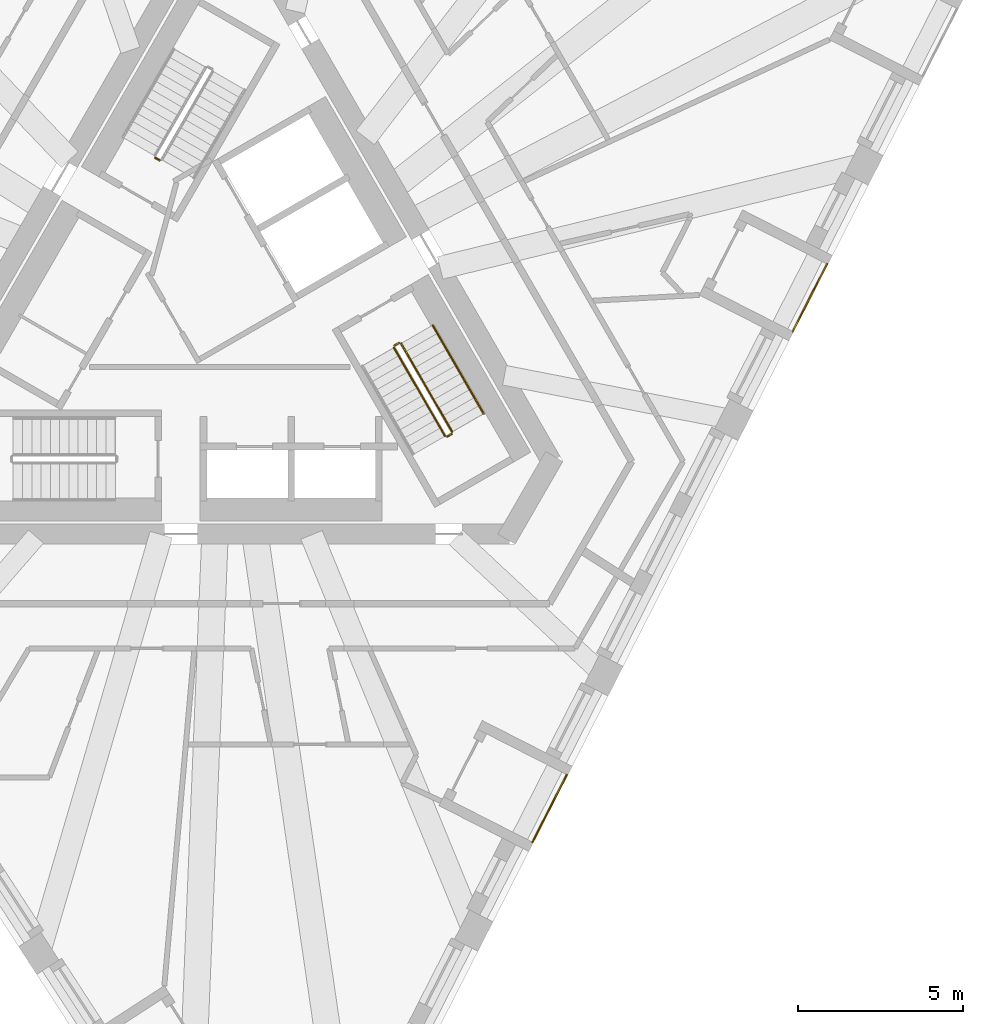
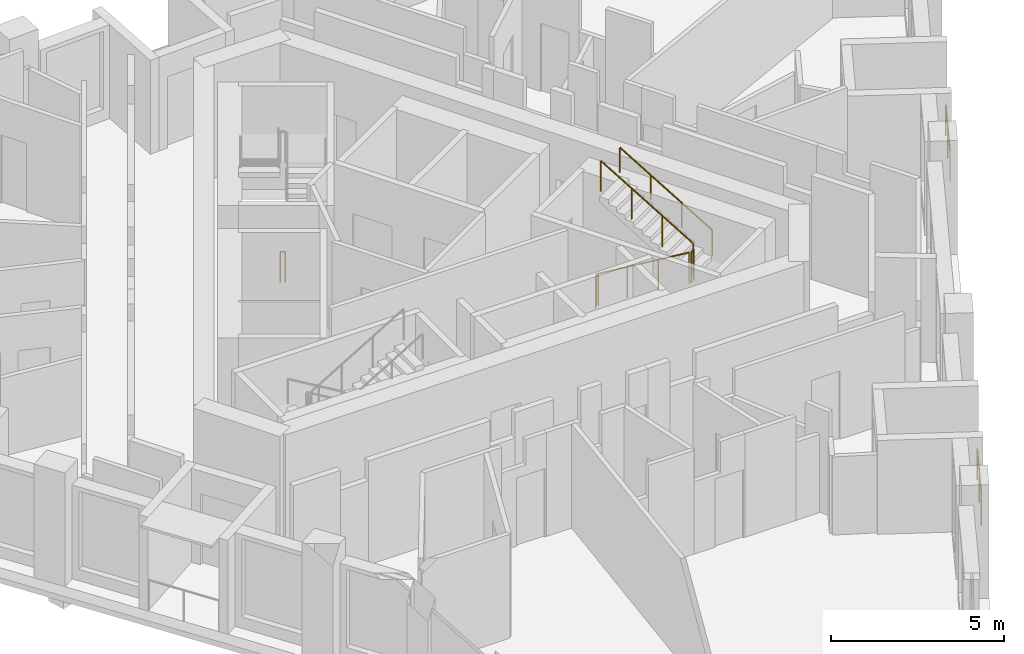
# One storey, part 11 of 13: 8 railings.
"""IFC4 building model written with IfcOpenShell, lengths in metres."""

from ifc_helpers import new_model, si_unit, direction, frame, origin, origin_2d, place, context, subcontext, project, spatial, circle, extrude, material, type_object, element, save


model = new_model("IFC4")

# Units and contexts
model_context = context("Model", 3, precision=1e-05, world=origin(), true_north=direction((0.0, 1.0)))
body_context = subcontext(model_context, "Body", "Model", "MODEL_VIEW")
ifc_project = project(units=[si_unit("LENGTHUNIT", "METRE"), si_unit("AREAUNIT", "SQUARE_METRE"), si_unit("VOLUMEUNIT", "CUBIC_METRE"), si_unit("PLANEANGLEUNIT", "RADIAN"), si_unit("MASSUNIT", "GRAM", prefix="KILO")], contexts=[model_context])

# Site, building, storey
site_placement = place(None, origin())
site = spatial("IfcSite", under=ifc_project, at=site_placement, CompositionType="ELEMENT")
building_placement = place(site_placement, origin())
building = spatial("IfcBuilding", under=site, at=building_placement, Name="Tramontana Tower", CompositionType="ELEMENT")
storey_placement = place(building_placement, frame((0.0, 0.0, 294.39990234375)))
storey = spatial("IfcBuildingStorey", under=building, at=storey_placement, Name="L69", CompositionType="ELEMENT", Elevation=294.39990234375)

# Railings
ifc_material_1 = material(Name="Laminated glass balustrade", Category="glass")
railing_type_1 = type_object("IfcRailingType", Name="GD1 Loggia glass balustrade 1100", PredefinedType="BALUSTRADE", material=ifc_material_1)
railing_1_placement = place(storey_placement, frame((9.3330078125, -15.75830078125, 0.0)))
element("IfcRailing", 1, at=railing_1_placement, inside=storey, type_object=railing_type_1, Name="Loggia balustrade L69 G7S1.4", PredefinedType="BALUSTRADE", context=body_context, shape_type="SweptSolid", body=[
    extrude(circle(Radius=0.02392578125, at=origin_2d()), frame((0.0, 0.0, 1.076171875), z_axis=(0.45403292632, 0.890984905494, 0.0), x_axis=(-0.890984905494, 0.45403292632, 0.0)), (0.0, 0.0, 1.0), 2.286865234375),
    extrude(circle(Radius=0.02099609375, at=origin_2d()), origin(), (0.0, 0.0, 1.0), 1.052001953125),
    extrude(circle(Radius=0.02099609375, at=origin_2d()), frame((0.51904296875, 1.018798828125, 0.0)), (0.0, 0.0, 1.0), 1.052001953125),
    extrude(circle(Radius=0.02099609375, at=origin_2d()), frame((1.038330078125, 2.03759765625, 0.0)), (0.0, 0.0, 1.0), 1.052001953125),
])
railing_2_placement = place(storey_placement, frame((17.196533203125, -0.32568359375, 0.0)))
element("IfcRailing", 2, at=railing_2_placement, inside=storey, type_object=railing_type_1, Name="Loggia balustrade L69 G7S1.10", PredefinedType="BALUSTRADE", context=body_context, shape_type="SweptSolid", body=[
    extrude(circle(Radius=0.02392578125, at=origin_2d()), frame((0.0, 0.0, 1.076171875), z_axis=(0.453948171533, 0.89102809022, 0.0), x_axis=(-0.89102809022, 0.453948171533, 0.0)), (0.0, 0.0, 1.0), 2.286865234375),
    extrude(circle(Radius=0.02099609375, at=origin_2d()), origin(), (0.0, 0.0, 1.0), 1.052001953125),
    extrude(circle(Radius=0.02099609375, at=origin_2d()), frame((0.51904296875, 1.018798828125, 0.0)), (0.0, 0.0, 1.0), 1.052001953125),
    extrude(circle(Radius=0.02099609375, at=origin_2d()), frame((1.0380859375, 2.03759765625, 0.0)), (0.0, 0.0, 1.0), 1.052001953125),
])
ifc_material_2 = material(Name="Painted steel", Category="steel")
railing_type_2 = type_object("IfcRailingType", Name="STAIR GUARD 1100", PredefinedType="GUARDRAIL", material=ifc_material_2)
railing_3_placement = place(storey_placement, frame((-1.935791015625, 4.84716796875, 0.0)))
element("IfcRailing", 3, at=railing_3_placement, inside=storey, type_object=railing_type_2, Name="L69 ST1 stair guard 4", PredefinedType="GUARDRAIL", context=body_context, shape_type="SweptSolid", body=[
    extrude(circle(Radius=0.02392578125, at=origin_2d()), frame((0.0, 0.0, 1.076171875), z_axis=(-0.865426285481, 0.501036270542, 0.0), x_axis=(-0.501036270542, -0.865426285481, 0.0)), (0.0, 0.0, 1.0), 0.150146484375),
    extrude(circle(Radius=0.02099609375, at=origin_2d()), origin(), (0.0, 0.0, 1.0), 1.052001953125),
    extrude(circle(Radius=0.02099609375, at=origin_2d()), frame((-0.1298828125, 0.0751953125, 0.0)), (0.0, 0.0, 1.0), 1.052001953125),
])
railing_4_placement = place(storey_placement, frame((5.1474609375, -0.815673828125, 0.166748046875)))
element("IfcRailing", 4, at=railing_4_placement, inside=storey, type_object=railing_type_2, Name="L69 ST3 stair guard 1", PredefinedType="GUARDRAIL", context=body_context, shape_type="SweptSolid", body=[
    extrude(circle(Radius=0.02392578125, at=origin_2d()), frame((0.0, 0.0, 1.076171875), z_axis=(0.429671193721, -0.744159446956, 0.511477646425), x_axis=(0.866010015463, 0.500026652407, 0.0)), (0.0, 0.0, 1.0), 3.584228515625),
    extrude(circle(Radius=0.02099609375, at=origin_2d()), origin(), (0.0, 0.0, 1.0), 1.052001953125),
    extrude(circle(Radius=0.02099609375, at=origin_2d()), frame((0.513427734375, -0.88916015625, 0.611083984375)), (0.0, 0.0, 1.0), 1.052001953125),
    extrude(circle(Radius=0.02099609375, at=origin_2d()), frame((1.026611328125, -1.778076171875, 1.22216796875)), (0.0, 0.0, 1.0), 1.052001953125),
    extrude(circle(Radius=0.02099609375, at=origin_2d()), frame((1.5400390625, -2.667236328125, 1.833251953125)), (0.0, 0.0, 1.0), 1.052001953125),
])
railing_5_placement = place(storey_placement, frame((6.90380859375, -3.35791015625, 2.166748046875)))
element("IfcRailing", 5, at=railing_5_placement, inside=storey, type_object=railing_type_2, Name="L69 ST3 stair guard 2", PredefinedType="GUARDRAIL", context=body_context, shape_type="SweptSolid", body=[
    extrude(circle(Radius=0.02392578125, at=origin_2d()), frame((0.0, 0.0, 1.076171875), z_axis=(-0.429615651263, 0.74418122563, 0.511492615401), x_axis=(-0.866044340336, -0.499967199496, 0.0)), (0.0, 0.0, 1.0), 3.584228515625),
    extrude(circle(Radius=0.02099609375, at=origin_2d()), origin(), (0.0, 0.0, 1.0), 1.052001953125),
    extrude(circle(Radius=0.02099609375, at=origin_2d()), frame((-0.51318359375, 0.88916015625, 0.611083984375)), (0.0, 0.0, 1.0), 1.052001953125),
    extrude(circle(Radius=0.02099609375, at=origin_2d()), frame((-1.026611328125, 1.778076171875, 1.22216796875)), (0.0, 0.0, 1.0), 1.052001953125),
    extrude(circle(Radius=0.02099609375, at=origin_2d()), frame((-1.539794921875, 2.667236328125, 1.833251953125)), (0.0, 0.0, 1.0), 1.052001953125),
])
for number, where, name in (
    (6, (6.755615234375, -3.501220703125, 2.0), "L69 ST3 stair guard 3"),
    (7, (5.165771484375, -0.747314453125, 0.0), "L69 ST3 stair guard 4"),
):
    element("IfcRailing", number, at=place(storey_placement, frame(where)), inside=storey, type_object=railing_type_2, Name=name, PredefinedType="GUARDRAIL", context=body_context, shape_type="SweptSolid", body=[
        extrude(circle(Radius=0.02392578125, at=origin_2d()), frame((0.0, 0.0, 1.076171875), z_axis=(0.866131372301, 0.499816412211, 0.0), x_axis=(-0.499816412211, 0.866131372301, 0.0)), (0.0, 0.0, 1.0), 0.14990234375),
        extrude(circle(Radius=0.02099609375, at=origin_2d()), origin(), (0.0, 0.0, 1.0), 1.052001953125),
        extrude(circle(Radius=0.02099609375, at=origin_2d()), frame((0.1298828125, 0.074951171875, 0.0)), (0.0, 0.0, 1.0), 1.052001953125),
    ])
ifc_material_3 = material(Name="Painted steel", Category="steel")
railing_type_3 = type_object("IfcRailingType", Name="STAIR HANDRAIL 900", PredefinedType="HANDRAIL", material=ifc_material_3)
railing_6_placement = place(storey_placement, frame((7.8564453125, -2.807861328125, 2.166748046875)))
element("IfcRailing", 8, at=railing_6_placement, inside=storey, type_object=railing_type_3, Name="L69 ST3 stair handrail 2", PredefinedType="HANDRAIL", context=body_context, shape_type="SweptSolid", body=[
    extrude(circle(Radius=0.02392578125, at=origin_2d()), frame((0.0, 0.0, 0.8759765625), z_axis=(-0.429615651263, 0.74418122563, 0.511492615401), x_axis=(-0.866044340336, -0.499967199496, 0.0)), (0.0, 0.0, 1.0), 3.584228515625),
    extrude(circle(Radius=0.02099609375, at=origin_2d()), origin(), (0.0, 0.0, 1.0), 0.851806640625),
    extrude(circle(Radius=0.02099609375, at=origin_2d()), frame((-0.51318359375, 0.88916015625, 0.611083984375)), (0.0, 0.0, 1.0), 0.851806640625),
    extrude(circle(Radius=0.02099609375, at=origin_2d()), frame((-1.026611328125, 1.778076171875, 1.22216796875)), (0.0, 0.0, 1.0), 0.851806640625),
    extrude(circle(Radius=0.02099609375, at=origin_2d()), frame((-1.539794921875, 2.667236328125, 1.833251953125)), (0.0, 0.0, 1.0), 0.851806640625),
])

save(model, "model.ifc")
